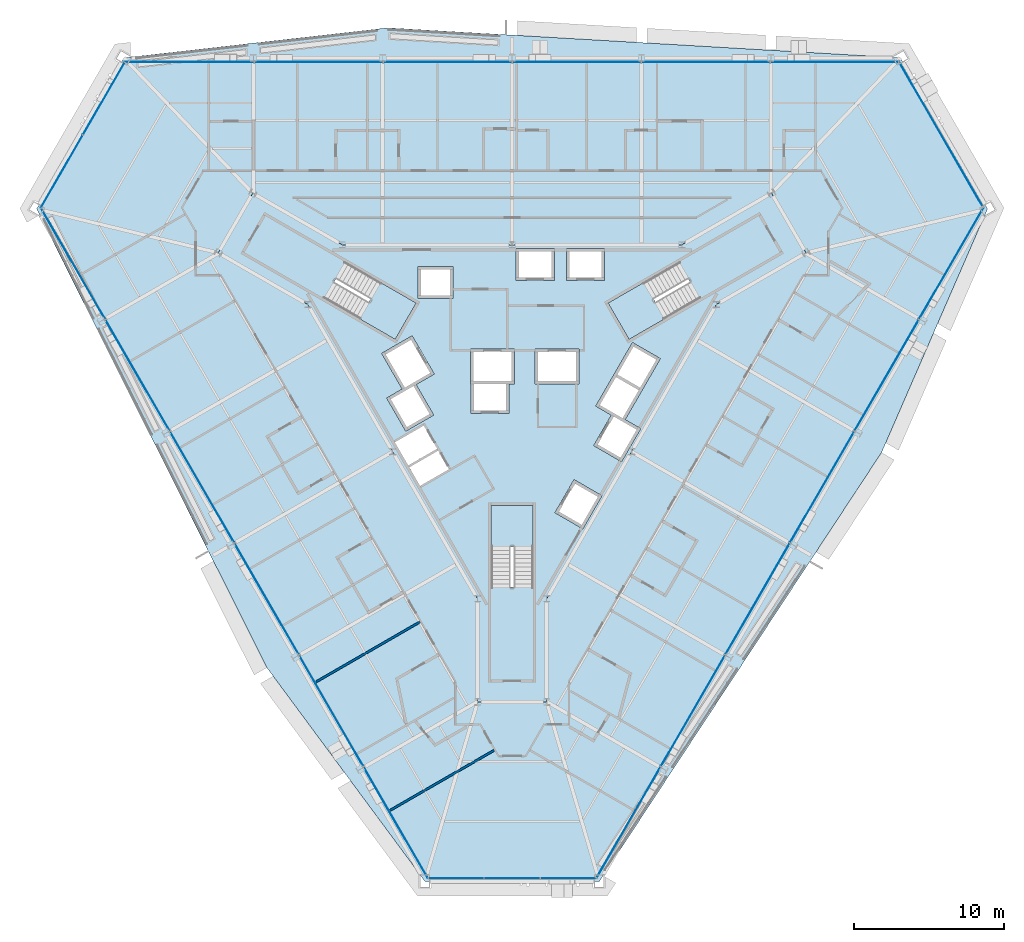
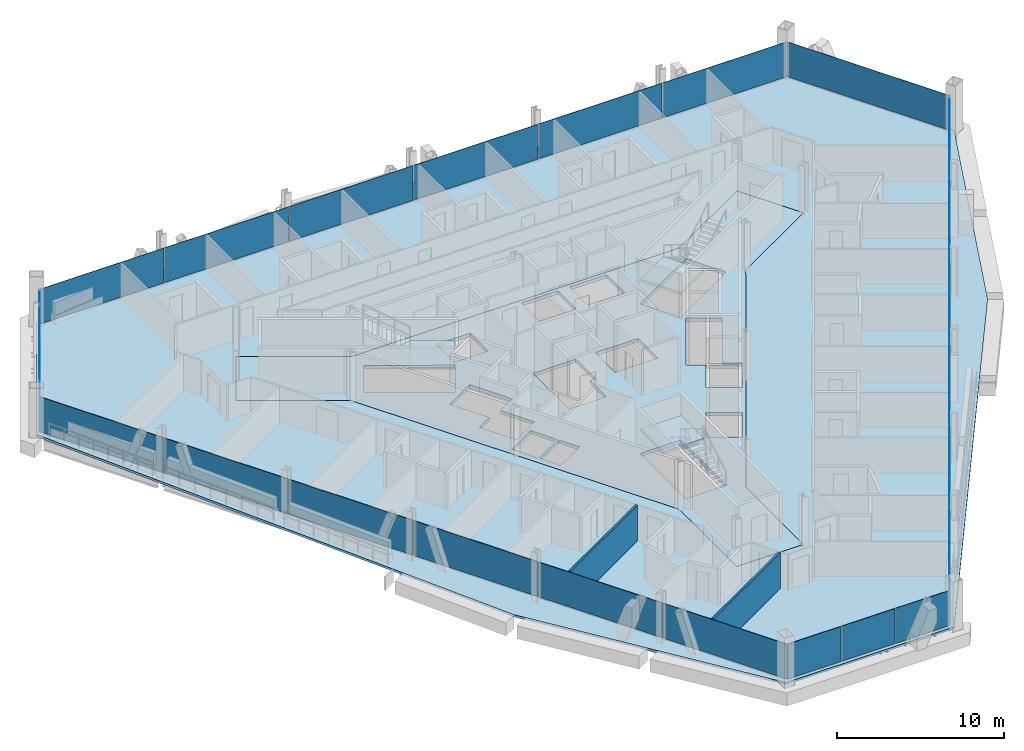
# One storey, part 10 of 18: 24 plates, 5 slabs, 2 walls, 9 elements without a shape of their own.
"""IFC4 building model written with IfcOpenShell, lengths in metres."""

from ifc_helpers import new_model, si_unit, direction, frame, frame_2d, origin, origin_2d, place, context, subcontext, project, spatial, polyline, rectangle, outline, extrude, material, layer, layer_set, type_object, element, aggregate, save


model = new_model("IFC4")

# Units and contexts
model_context = context("Model", 3, precision=1e-05, world=origin(), true_north=direction((0.0, 1.0)))
body_context = subcontext(model_context, "Body", "Model", "MODEL_VIEW")
ifc_project = project(units=[si_unit("LENGTHUNIT", "METRE"), si_unit("AREAUNIT", "SQUARE_METRE"), si_unit("VOLUMEUNIT", "CUBIC_METRE"), si_unit("PLANEANGLEUNIT", "RADIAN"), si_unit("MASSUNIT", "GRAM", prefix="KILO")], contexts=[model_context])

# Site, building, storey
site_placement = place(None, origin())
site = spatial("IfcSite", under=ifc_project, at=site_placement, CompositionType="ELEMENT")
building_placement = place(site_placement, origin())
building = spatial("IfcBuilding", under=site, at=building_placement, Name="Verrane Prism Tower", CompositionType="ELEMENT")
storey_placement = place(building_placement, frame((0.0, 0.0, 80.0)))
storey = spatial("IfcBuildingStorey", under=building, at=storey_placement, Name="L18", CompositionType="ELEMENT", Elevation=80.0)

# Slabs
ifc_material_1 = material(Name="Concrete C35/45", Category="concrete")
ifc_layer_1 = layer(ifc_material_1, 0.159912109375)
ifc_layer_set_1 = layer_set([ifc_layer_1], Name="Composite floor slab")
slab_type_1 = type_object("IfcSlabType", Name="Composite floor slab", PredefinedType="FLOOR", material=ifc_layer_set_1)
slab_1_placement = place(storey_placement, frame((0.0, 0.0, -0.159912109375)))
element("IfcSlab", 1, at=slab_1_placement, inside=storey, type_object=slab_type_1, Name="Floor slab L18", PredefinedType="FLOOR", context=body_context, shape_type="SweptSolid", body=[
    extrude(outline(polyline([(24.64208984375, -4.65869140625), (5.819091796875, -33.26123046875), (-5.819091796875, -33.26123046875), (-16.35546875, -19.011474609375), (-31.714599609375, 11.59130859375), (-25.8955078125, 21.669921875), (-8.28662109375, 23.669921875), (25.8955078125, 21.669921875), (31.714599609375, 11.59130859375), (24.64208984375, -4.65869140625)]), holes=[polyline([(19.60009765625, 8.659912109375), (17.300048828125, 12.639892578125), (11.330078125, 9.199951171875), (0.0, 9.199951171875), (-11.330078125, 9.199951171875), (-17.300048828125, 12.639892578125), (-19.60009765625, 8.659912109375), (-13.6298828125, 5.219970703125), (-7.969970703125, -4.60009765625), (-2.300048828125, -14.419921875), (-2.300048828125, -21.300048828125), (2.300048828125, -21.300048828125), (2.300048828125, -14.419921875), (7.969970703125, -4.60009765625), (13.6298828125, 5.219970703125), (19.60009765625, 8.659912109375)])]), origin(), (0.0, 0.0, 1.0), 0.159912109375),
])
ifc_material_2 = material(Name="Concrete C40/50", Category="concrete")
ifc_layer_2 = layer(ifc_material_2, 0.25)
ifc_layer_set_2 = layer_set([ifc_layer_2], Name="Core floor slab 250 concrete C40/50")
slab_type_2 = type_object("IfcSlabType", Name="Core floor slab 250 concrete C40/50", PredefinedType="FLOOR", material=ifc_layer_set_2)
slab_2_placement = place(storey_placement, frame((0.0, 0.0, -0.25)))
element("IfcSlab", 2, at=slab_2_placement, inside=storey, type_object=slab_type_2, Name="Core floor L18", PredefinedType="FLOOR", context=body_context, shape_type="SweptSolid", body=[
    extrude(outline(polyline([(13.6298828125, 5.219970703125), (19.60009765625, 8.659912109375), (17.300048828125, 12.639892578125), (11.330078125, 9.199951171875), (0.0, 9.199951171875), (-11.330078125, 9.199951171875), (-17.300048828125, 12.639892578125), (-19.60009765625, 8.659912109375), (-13.6298828125, 5.219970703125), (-7.969970703125, -4.60009765625), (-2.300048828125, -14.419921875), (-2.300048828125, -21.300048828125), (2.300048828125, -21.300048828125), (2.300048828125, -14.419921875), (7.969970703125, -4.60009765625), (13.6298828125, 5.219970703125)]), holes=[polyline([(1.39990234375, -8.199951171875), (1.39990234375, -13.639892578125), (-1.39990234375, -13.639892578125), (-1.39990234375, -8.199951171875), (1.39990234375, -8.199951171875)]), polyline([(-4.215087890625, -5.77099609375), (-6.14208984375, -6.883056640625), (-6.85400390625, -5.64599609375), (-4.928955078125, -4.533935546875), (-4.215087890625, -5.77099609375)]), polyline([(-5.0029296875, -4.404052734375), (-6.929931640625, -5.51708984375), (-7.819091796875, -3.97705078125), (-5.89306640625, -2.864013671875), (-5.0029296875, -4.404052734375)]), polyline([(0.1650390625, 2.25), (0.1650390625, -0.10009765625), (-0.205078125, -0.10009765625), (-0.205078125, -2.050048828125), (-2.7548828125, -2.050048828125), (-2.7548828125, -0.10009765625), (-2.784912109375, -0.10009765625), (-2.784912109375, 2.25), (0.1650390625, 2.25)]), polyline([(-12.512939453125, 5.60791015625), (-11.113037109375, 8.031982421875), (-6.40087890625, 5.31201171875), (-7.801025390625, 2.887939453125), (-12.512939453125, 5.60791015625)]), polyline([(-6.284912109375, 5.610107421875), (-6.284912109375, 7.760009765625), (-3.93505859375, 7.760009765625), (-3.93505859375, 5.610107421875), (-6.284912109375, 5.610107421875)]), polyline([(4.717041015625, -9.75), (2.85498046875, -8.675048828125), (4.1298828125, -6.466064453125), (5.991943359375, -7.541015625), (4.717041015625, -9.75)]), polyline([(8.303955078125, -3.136962890625), (5.575927734375, -1.56201171875), (8.02587890625, 2.680908203125), (9.887939453125, 1.60595703125), (7.5380859375, -2.464111328125), (8.576904296875, -3.06396484375), (7.302001953125, -5.27197265625), (5.43994140625, -4.197021484375), (6.614990234375, -2.162109375), (8.303955078125, -3.136962890625)]), polyline([(1.52490234375, -0.10009765625), (1.52490234375, 2.25), (4.47509765625, 2.25), (4.47509765625, -0.10009765625), (1.52490234375, -0.10009765625)]), polyline([(6.40087890625, 5.31201171875), (11.113037109375, 8.031982421875), (12.512939453125, 5.60791015625), (7.801025390625, 2.887939453125), (6.40087890625, 5.31201171875)]), polyline([(0.264892578125, 6.81005859375), (0.264892578125, 8.9599609375), (2.81494140625, 8.9599609375), (2.81494140625, 6.81005859375), (0.264892578125, 6.81005859375)]), polyline([(3.625, 6.81005859375), (3.625, 8.9599609375), (6.175048828125, 8.9599609375), (6.175048828125, 6.81005859375), (3.625, 6.81005859375)]), polyline([(-5.23095703125, -2.159912109375), (-7.093017578125, -3.235107421875), (-8.367919921875, -1.02587890625), (-7.3291015625, -0.426025390625), (-8.7041015625, 1.955078125), (-6.66796875, 3.1298828125), (-5.193115234375, 0.574951171875), (-6.406005859375, -0.125), (-5.23095703125, -2.159912109375)])]), origin(), (0.0, 0.0, 1.0), 0.25),
])

# Curtain wall, plates
ifc_material_3 = material(Name="Aluminium framed insulated glazing", Category="aluminium")
curtain_wall_type_1 = type_object("IfcCurtainWallType", Name="Curtain wall CW-C 4200 module", PredefinedType="NOTDEFINED", material=ifc_material_3)
curtain_wall_1_placement = place(storey_placement, origin())
curtain_wall_1 = element("IfcCurtainWall", 3, at=curtain_wall_1_placement, inside=storey, type_object=curtain_wall_type_1, Name="Glazed curtain wall south corner L18", PredefinedType="NOTDEFINED")
ifc_material_4 = material(Name="Low-iron insulating glass unit", Category="glass")
ifc_layer_3 = layer(ifc_material_4, 0.02392578125)
ifc_layer_set_3 = layer_set([ifc_layer_3], Name="Glazing panel IGU 24")
plate_type_1 = type_object("IfcPlateType", Name="Glazing panel IGU 24", PredefinedType="CURTAIN_PANEL", material=ifc_layer_set_3)
plate_1_placement = place(storey_placement, frame((-3.72998046875, -33.058349609375, 0.050048828125), z_axis=(0.0, 0.0, 1.0), x_axis=(1.0, 0.0, 0.0)))
plate_1 = element("IfcPlate", 4, at=plate_1_placement, type_object=plate_type_1, Name="CW17.5 panel 1", PredefinedType="CURTAIN_PANEL", context=body_context, shape_type="SweptSolid", body=[
    extrude(rectangle(XDim=3.66748046875, YDim=0.02392578125, at=origin_2d()), origin(), (0.0, 0.0, 1.0), 2.56298828125),
])
plate_2_placement = place(storey_placement, frame((0.0, -33.058349609375, 0.050048828125), z_axis=(0.0, 0.0, 1.0), x_axis=(1.0, 0.0, 0.0)))
plate_2 = element("IfcPlate", 5, at=plate_2_placement, type_object=plate_type_1, Name="CW17.5 panel 2", PredefinedType="CURTAIN_PANEL", context=body_context, shape_type="SweptSolid", body=[
    extrude(rectangle(XDim=3.692626953125, YDim=0.02392578125, at=origin_2d()), origin(), (0.0, 0.0, 1.0), 2.56298828125),
])
plate_3_placement = place(storey_placement, frame((3.755126953125, -33.058349609375, 0.050048828125), z_axis=(0.0, 0.0, 1.0), x_axis=(1.0, 0.0, 0.0)))
plate_3 = element("IfcPlate", 6, at=plate_3_placement, type_object=plate_type_1, Name="CW17.5 panel 3", PredefinedType="CURTAIN_PANEL", context=body_context, shape_type="SweptSolid", body=[
    extrude(rectangle(XDim=3.717529296875, YDim=0.02392578125, at=origin_2d()), origin(), (0.0, 0.0, 1.0), 2.56298828125),
])
aggregate(curtain_wall_1, [plate_1, plate_2, plate_3])

ifc_material_5 = material(Name="Aluminium framed insulated glazing", Category="aluminium")
curtain_wall_type_2 = type_object("IfcCurtainWallType", Name="Curtain wall CW-B 5600 module", PredefinedType="NOTDEFINED", material=ifc_material_5)
curtain_wall_2_placement = place(storey_placement, origin())
curtain_wall_2 = element("IfcCurtainWall", 7, at=curtain_wall_2_placement, inside=storey, type_object=curtain_wall_type_2, Name="Glazed curtain wall north-west corner L18", PredefinedType="NOTDEFINED")
ifc_material_6 = material(Name="Low-iron insulating glass unit", Category="glass")
ifc_layer_4 = layer(ifc_material_6, 0.028076171875)
ifc_layer_set_4 = layer_set([ifc_layer_4], Name="Glazing panel IGU 28")
plate_type_2 = type_object("IfcPlateType", Name="Glazing panel IGU 28", PredefinedType="CURTAIN_PANEL", material=ifc_layer_set_4)
plate_4_placement = place(storey_placement, frame((-27.2333984375, 18.947021484375, 0.06005859375), z_axis=(0.0, 0.0, 1.0), x_axis=(-0.499998458466, -0.866026293788, 0.0)))
plate_4 = element("IfcPlate", 8, at=plate_4_placement, type_object=plate_type_2, Name="CW17.3 panel 1", PredefinedType="CURTAIN_PANEL", context=body_context, shape_type="SweptSolid", body=[
    extrude(rectangle(XDim=5.52392578125, YDim=0.028076171875, at=origin_2d()), origin(), (0.0, 0.0, 1.0), 2.552978515625),
])
plate_5_placement = place(storey_placement, frame((-30.040283203125, 14.085205078125, 0.06005859375), z_axis=(0.0, 0.0, 1.0), x_axis=(-0.499998458466, -0.866026293788, 0.0)))
plate_5 = element("IfcPlate", 9, at=plate_5_placement, type_object=plate_type_2, Name="CW17.3 panel 2", PredefinedType="CURTAIN_PANEL", context=body_context, shape_type="SweptSolid", body=[
    extrude(rectangle(XDim=5.583984375, YDim=0.028076171875, at=origin_2d()), origin(), (0.0, 0.0, 1.0), 2.552978515625),
])
aggregate(curtain_wall_2, [plate_4, plate_5])

# Curtain wall, plate
ifc_material_7 = material(Name="Aluminium framed insulated glazing", Category="aluminium")
curtain_wall_type_3 = type_object("IfcCurtainWallType", Name="Curtain wall CW-A 8400 module", PredefinedType="NOTDEFINED", material=ifc_material_7)
curtain_wall_3_placement = place(storey_placement, origin())
curtain_wall_3 = element("IfcCurtainWall", 10, at=curtain_wall_3_placement, inside=storey, type_object=curtain_wall_type_3, Name="Glazed curtain wall north-east corner L18", PredefinedType="NOTDEFINED")
ifc_material_8 = material(Name="Low-iron insulating glass unit", Category="glass")
ifc_layer_5 = layer(ifc_material_8, 0.031982421875)
ifc_layer_set_5 = layer_set([ifc_layer_5], Name="Glazing panel IGU 32")
plate_type_3 = type_object("IfcPlateType", Name="Glazing panel IGU 32", PredefinedType="CURTAIN_PANEL", material=ifc_layer_set_5)
plate_6_placement = place(storey_placement, frame((28.61181640625, 16.5595703125, 0.070068359375), z_axis=(0.0, 0.0, 1.0), x_axis=(-0.499998458466, 0.866026293788, 0.0)))
plate_6 = element("IfcPlate", 11, at=plate_6_placement, type_object=plate_type_3, Name="CW17.1 panel 1", PredefinedType="CURTAIN_PANEL", context=body_context, shape_type="SweptSolid", body=[
    extrude(rectangle(XDim=11.15771484375, YDim=0.031982421875, at=origin_2d()), origin(), (0.0, 0.0, 1.0), 2.54296875),
])
aggregate(curtain_wall_3, [plate_6])

# Curtain wall, plates
curtain_wall_4_placement = place(storey_placement, origin())
curtain_wall_4 = element("IfcCurtainWall", 12, at=curtain_wall_4_placement, inside=storey, type_object=curtain_wall_type_3, Name="Glazed curtain wall north face L18", PredefinedType="NOTDEFINED")
plate_7_placement = place(storey_placement, frame((21.501220703125, 21.39111328125, 0.070068359375), z_axis=(0.0, 0.0, 1.0), x_axis=(-1.0, 0.0, 0.0)))
plate_7 = element("IfcPlate", 13, at=plate_7_placement, type_object=plate_type_3, Name="CW17.2 panel 1", PredefinedType="CURTAIN_PANEL", context=body_context, shape_type="SweptSolid", body=[
    extrude(rectangle(XDim=8.50244140625, YDim=0.031982421875, at=origin_2d()), origin(), (0.0, 0.0, 1.0), 2.54296875),
])
plate_8_placement = place(storey_placement, frame((12.9111328125, 21.39111328125, 0.070068359375), z_axis=(0.0, 0.0, 1.0), x_axis=(-1.0, 0.0, 0.0)))
plate_8 = element("IfcPlate", 14, at=plate_8_placement, type_object=plate_type_3, Name="CW17.2 panel 2", PredefinedType="CURTAIN_PANEL", context=body_context, shape_type="SweptSolid", body=[
    extrude(rectangle(XDim=8.537353515625, YDim=0.031982421875, at=origin_2d()), origin(), (0.0, 0.0, 1.0), 2.54296875),
])
plate_9_placement = place(storey_placement, frame((4.3037109375, 21.39111328125, 0.070068359375), z_axis=(0.0, 0.0, 1.0), x_axis=(-1.0, 0.0, 0.0)))
plate_9 = element("IfcPlate", 15, at=plate_9_placement, type_object=plate_type_3, Name="CW17.2 panel 3", PredefinedType="CURTAIN_PANEL", context=body_context, shape_type="SweptSolid", body=[
    extrude(rectangle(XDim=8.537353515625, YDim=0.031982421875, at=origin_2d()), origin(), (0.0, 0.0, 1.0), 2.54296875),
])
plate_10_placement = place(storey_placement, frame((-4.3037109375, 21.39111328125, 0.070068359375), z_axis=(0.0, 0.0, 1.0), x_axis=(-1.0, 0.0, 0.0)))
plate_10 = element("IfcPlate", 16, at=plate_10_placement, type_object=plate_type_3, Name="CW17.2 panel 4", PredefinedType="CURTAIN_PANEL", context=body_context, shape_type="SweptSolid", body=[
    extrude(rectangle(XDim=8.537353515625, YDim=0.031982421875, at=origin_2d()), origin(), (0.0, 0.0, 1.0), 2.54296875),
])
plate_11_placement = place(storey_placement, frame((-12.9111328125, 21.39111328125, 0.070068359375), z_axis=(0.0, 0.0, 1.0), x_axis=(-1.0, 0.0, 0.0)))
plate_11 = element("IfcPlate", 17, at=plate_11_placement, type_object=plate_type_3, Name="CW17.2 panel 5", PredefinedType="CURTAIN_PANEL", context=body_context, shape_type="SweptSolid", body=[
    extrude(rectangle(XDim=8.537353515625, YDim=0.031982421875, at=origin_2d()), origin(), (0.0, 0.0, 1.0), 2.54296875),
])
plate_12_placement = place(storey_placement, frame((-21.5361328125, 21.39111328125, 0.070068359375), z_axis=(0.0, 0.0, 1.0), x_axis=(-1.0, 0.0, 0.0)))
plate_12 = element("IfcPlate", 18, at=plate_12_placement, type_object=plate_type_3, Name="CW17.2 panel 6", PredefinedType="CURTAIN_PANEL", context=body_context, shape_type="SweptSolid", body=[
    extrude(rectangle(XDim=8.572509765625, YDim=0.031982421875, at=origin_2d()), origin(), (0.0, 0.0, 1.0), 2.54296875),
])
aggregate(curtain_wall_4, [plate_7, plate_8, plate_9, plate_10, plate_11, plate_12])

curtain_wall_5_placement = place(storey_placement, origin())
curtain_wall_5 = element("IfcCurtainWall", 19, at=curtain_wall_5_placement, inside=storey, type_object=curtain_wall_type_3, Name="Glazed curtain wall south-west face L18", PredefinedType="NOTDEFINED")
plate_13_placement = place(storey_placement, frame((-29.275634765625, 7.925048828125, 0.070068359375), z_axis=(0.0, 0.0, 1.0), x_axis=(0.499999235121, -0.866025845387, 0.0)))
plate_13 = element("IfcPlate", 20, at=plate_13_placement, type_object=plate_type_3, Name="CW17.4 panel 1", PredefinedType="CURTAIN_PANEL", context=body_context, shape_type="SweptSolid", body=[
    extrude(rectangle(XDim=8.50244140625, YDim=0.031982421875, at=origin_2d()), origin(), (0.0, 0.0, 1.0), 2.54296875),
])
plate_14_placement = place(storey_placement, frame((-24.980712890625, 0.48583984375, 0.070068359375), z_axis=(0.0, 0.0, 1.0), x_axis=(0.499999235121, -0.866025845387, 0.0)))
plate_14 = element("IfcPlate", 21, at=plate_14_placement, type_object=plate_type_3, Name="CW17.4 panel 2", PredefinedType="CURTAIN_PANEL", context=body_context, shape_type="SweptSolid", body=[
    extrude(rectangle(XDim=8.53759765625, YDim=0.031982421875, at=origin_2d()), origin(), (0.0, 0.0, 1.0), 2.54296875),
])
plate_15_placement = place(storey_placement, frame((-20.677001953125, -6.96826171875, 0.070068359375), z_axis=(0.0, 0.0, 1.0), x_axis=(0.499999235121, -0.866025845387, 0.0)))
plate_15 = element("IfcPlate", 22, at=plate_15_placement, type_object=plate_type_3, Name="CW17.4 panel 3", PredefinedType="CURTAIN_PANEL", context=body_context, shape_type="SweptSolid", body=[
    extrude(rectangle(XDim=8.53759765625, YDim=0.031982421875, at=origin_2d()), origin(), (0.0, 0.0, 1.0), 2.54296875),
])
plate_16_placement = place(storey_placement, frame((-16.373291015625, -14.422607421875, 0.070068359375), z_axis=(0.0, 0.0, 1.0), x_axis=(0.499999235121, -0.866025845387, 0.0)))
plate_16 = element("IfcPlate", 23, at=plate_16_placement, type_object=plate_type_3, Name="CW17.4 panel 4", PredefinedType="CURTAIN_PANEL", context=body_context, shape_type="SweptSolid", body=[
    extrude(rectangle(XDim=8.53759765625, YDim=0.031982421875, at=origin_2d()), origin(), (0.0, 0.0, 1.0), 2.54296875),
])
plate_17_placement = place(storey_placement, frame((-12.069580078125, -21.876953125, 0.070068359375), z_axis=(0.0, 0.0, 1.0), x_axis=(0.499999235121, -0.866025845387, 0.0)))
plate_17 = element("IfcPlate", 24, at=plate_17_placement, type_object=plate_type_3, Name="CW17.4 panel 5", PredefinedType="CURTAIN_PANEL", context=body_context, shape_type="SweptSolid", body=[
    extrude(rectangle(XDim=8.53759765625, YDim=0.031982421875, at=origin_2d()), origin(), (0.0, 0.0, 1.0), 2.54296875),
])
plate_18_placement = place(storey_placement, frame((-7.757080078125, -29.346435546875, 0.070068359375), z_axis=(0.0, 0.0, 1.0), x_axis=(0.499999235121, -0.866025845387, 0.0)))
plate_18 = element("IfcPlate", 25, at=plate_18_placement, type_object=plate_type_3, Name="CW17.4 panel 6", PredefinedType="CURTAIN_PANEL", context=body_context, shape_type="SweptSolid", body=[
    extrude(rectangle(XDim=8.572509765625, YDim=0.031982421875, at=origin_2d()), origin(), (0.0, 0.0, 1.0), 2.54296875),
])
aggregate(curtain_wall_5, [plate_13, plate_14, plate_15, plate_16, plate_17, plate_18])

curtain_wall_6_placement = place(storey_placement, origin())
curtain_wall_6 = element("IfcCurtainWall", 26, at=curtain_wall_6_placement, inside=storey, type_object=curtain_wall_type_3, Name="Glazed curtain wall south-east face L18", PredefinedType="NOTDEFINED")
plate_19_placement = place(storey_placement, frame((7.7744140625, -29.316162109375, 0.070068359375), z_axis=(0.0, 0.0, 1.0), x_axis=(0.499999235121, 0.866025845387, 0.0)))
plate_19 = element("IfcPlate", 27, at=plate_19_placement, type_object=plate_type_3, Name="CW17.6 panel 1", PredefinedType="CURTAIN_PANEL", context=body_context, shape_type="SweptSolid", body=[
    extrude(rectangle(XDim=8.50244140625, YDim=0.031982421875, at=origin_2d()), origin(), (0.0, 0.0, 1.0), 2.54296875),
])
plate_20_placement = place(storey_placement, frame((12.069580078125, -21.876953125, 0.070068359375), z_axis=(0.0, 0.0, 1.0), x_axis=(0.499999235121, 0.866025845387, 0.0)))
plate_20 = element("IfcPlate", 28, at=plate_20_placement, type_object=plate_type_3, Name="CW17.6 panel 2", PredefinedType="CURTAIN_PANEL", context=body_context, shape_type="SweptSolid", body=[
    extrude(rectangle(XDim=8.53759765625, YDim=0.031982421875, at=origin_2d()), origin(), (0.0, 0.0, 1.0), 2.54296875),
])
plate_21_placement = place(storey_placement, frame((16.373291015625, -14.422607421875, 0.070068359375), z_axis=(0.0, 0.0, 1.0), x_axis=(0.499999235121, 0.866025845387, 0.0)))
plate_21 = element("IfcPlate", 29, at=plate_21_placement, type_object=plate_type_3, Name="CW17.6 panel 3", PredefinedType="CURTAIN_PANEL", context=body_context, shape_type="SweptSolid", body=[
    extrude(rectangle(XDim=8.53759765625, YDim=0.031982421875, at=origin_2d()), origin(), (0.0, 0.0, 1.0), 2.54296875),
])
plate_22_placement = place(storey_placement, frame((20.677001953125, -6.96826171875, 0.070068359375), z_axis=(0.0, 0.0, 1.0), x_axis=(0.499999235121, 0.866025845387, 0.0)))
plate_22 = element("IfcPlate", 30, at=plate_22_placement, type_object=plate_type_3, Name="CW17.6 panel 4", PredefinedType="CURTAIN_PANEL", context=body_context, shape_type="SweptSolid", body=[
    extrude(rectangle(XDim=8.53759765625, YDim=0.031982421875, at=origin_2d()), origin(), (0.0, 0.0, 1.0), 2.54296875),
])
plate_23_placement = place(storey_placement, frame((24.980712890625, 0.48583984375, 0.070068359375), z_axis=(0.0, 0.0, 1.0), x_axis=(0.499999235121, 0.866025845387, 0.0)))
plate_23 = element("IfcPlate", 31, at=plate_23_placement, type_object=plate_type_3, Name="CW17.6 panel 5", PredefinedType="CURTAIN_PANEL", context=body_context, shape_type="SweptSolid", body=[
    extrude(rectangle(XDim=8.53759765625, YDim=0.031982421875, at=origin_2d()), origin(), (0.0, 0.0, 1.0), 2.54296875),
])
plate_24_placement = place(storey_placement, frame((29.293212890625, 7.955322265625, 0.070068359375), z_axis=(0.0, 0.0, 1.0), x_axis=(0.499999235121, 0.866025845387, 0.0)))
plate_24 = element("IfcPlate", 32, at=plate_24_placement, type_object=plate_type_3, Name="CW17.6 panel 6", PredefinedType="CURTAIN_PANEL", context=body_context, shape_type="SweptSolid", body=[
    extrude(rectangle(XDim=8.572509765625, YDim=0.031982421875, at=origin_2d()), origin(), (0.0, 0.0, 1.0), 2.54296875),
])
aggregate(curtain_wall_6, [plate_19, plate_20, plate_21, plate_22, plate_23, plate_24])

# Stair, slab
ifc_material_9 = material(Name="Concrete C40/50", Category="concrete")
stair_type = type_object("IfcStairType", Name="Exit stair 1300 dog-leg precast concrete C40/50", PredefinedType="HALF_TURN_STAIR", material=ifc_material_9)
stair_1_placement = place(storey_placement, origin())
stair_1 = element("IfcStair", 33, at=stair_1_placement, inside=storey, type_object=stair_type, Name="Stair 1 L18", PredefinedType="HALF_TURN_STAIR")
ifc_material_10 = material(Name="Concrete C40/50", Category="concrete")
ifc_layer_6 = layer(ifc_material_10, 0.199951171875)
ifc_layer_set_6 = layer_set([ifc_layer_6], Name="Stair landing 200 precast concrete C40/50")
slab_type_3 = type_object("IfcSlabType", Name="Stair landing 200 precast concrete C40/50", PredefinedType="LANDING", material=ifc_layer_set_6)
slab_3_placement = place(storey_placement, frame((0.0, 0.0, 1.60009765625)))
slab_3 = element("IfcSlab", 34, at=slab_3_placement, type_object=slab_type_3, Name="Stair 1 landing 1", PredefinedType="LANDING", context=body_context, shape_type="SweptSolid", body=[
    extrude(outline(polyline([(8.791748046875, 6.6923828125), (6.4013671875, 5.3125), (7.801513671875, 2.887451171875), (10.191650390625, 4.267578125), (8.791748046875, 6.6923828125)])), origin(), (0.0, 0.0, 1.0), 0.199951171875),
])
aggregate(stair_1, [slab_3])

stair_2_placement = place(storey_placement, origin())
stair_2 = element("IfcStair", 35, at=stair_2_placement, inside=storey, type_object=stair_type, Name="Stair 2 L18", PredefinedType="HALF_TURN_STAIR")
slab_4_placement = place(storey_placement, frame((0.0, 0.0, 1.60009765625)))
slab_4 = element("IfcSlab", 36, at=slab_4_placement, type_object=slab_type_3, Name="Stair 2 landing 1", PredefinedType="LANDING", context=body_context, shape_type="SweptSolid", body=[
    extrude(outline(polyline([(-10.191650390625, 4.267578125), (-7.801513671875, 2.887451171875), (-6.4013671875, 5.3125), (-8.791748046875, 6.6923828125), (-10.191650390625, 4.267578125)])), origin(), (0.0, 0.0, 1.0), 0.199951171875),
])
aggregate(stair_2, [slab_4])

stair_3_placement = place(storey_placement, origin())
stair_3 = element("IfcStair", 37, at=stair_3_placement, inside=storey, type_object=stair_type, Name="Stair 3 L18", PredefinedType="HALF_TURN_STAIR")
slab_5_placement = place(storey_placement, frame((0.0, 0.0, 1.60009765625)))
slab_5 = element("IfcSlab", 38, at=slab_5_placement, type_object=slab_type_3, Name="Stair 3 landing 1", PredefinedType="LANDING", context=body_context, shape_type="SweptSolid", body=[
    extrude(outline(polyline([(1.39990234375, -10.9599609375), (1.39990234375, -8.199951171875), (-1.39990234375, -8.199951171875), (-1.39990234375, -10.9599609375), (1.39990234375, -10.9599609375)])), origin(), (0.0, 0.0, 1.0), 0.199951171875),
])
aggregate(stair_3, [slab_5])

# Walls
ifc_material_11 = material(Name="Gypsum board partition", Category="other")
ifc_layer_7 = layer(ifc_material_11, 0.14990234375)
ifc_layer_set_7 = layer_set([ifc_layer_7], Name="PW-150 demising wall 1 h")
wall_type = type_object("IfcWallType", Name="PW-150 demising wall 1 h", PredefinedType="PARTITIONING", material=ifc_layer_set_7)
for number, where, z_axis, x_axis, name in (
    (39, (-13.069091796875, -19.953125, 0.0), (0.0, 0.0, 1.0), (0.866021771655, 0.500006290979, 0.0), "Demising wall 023"),
    (40, (-8.1240234375, -28.51806640625, 0.0), (0.0, 0.0, 1.0), (0.866021771655, 0.500006290979, 0.0), "Demising wall 034"),
):
    element("IfcWall", number, at=place(storey_placement, frame(where, z_axis=z_axis, x_axis=x_axis)), inside=storey, type_object=wall_type, Name=name, PredefinedType="PARTITIONING", context=body_context, shape_type="SweptSolid", body=[
        extrude(rectangle(XDim=7.99169921875, YDim=0.14990234375, at=frame_2d((3.995849609375, 0.0))), origin(), (0.0, 0.0, 1.0), 2.613037109375),
    ])

save(model, "model.ifc")
